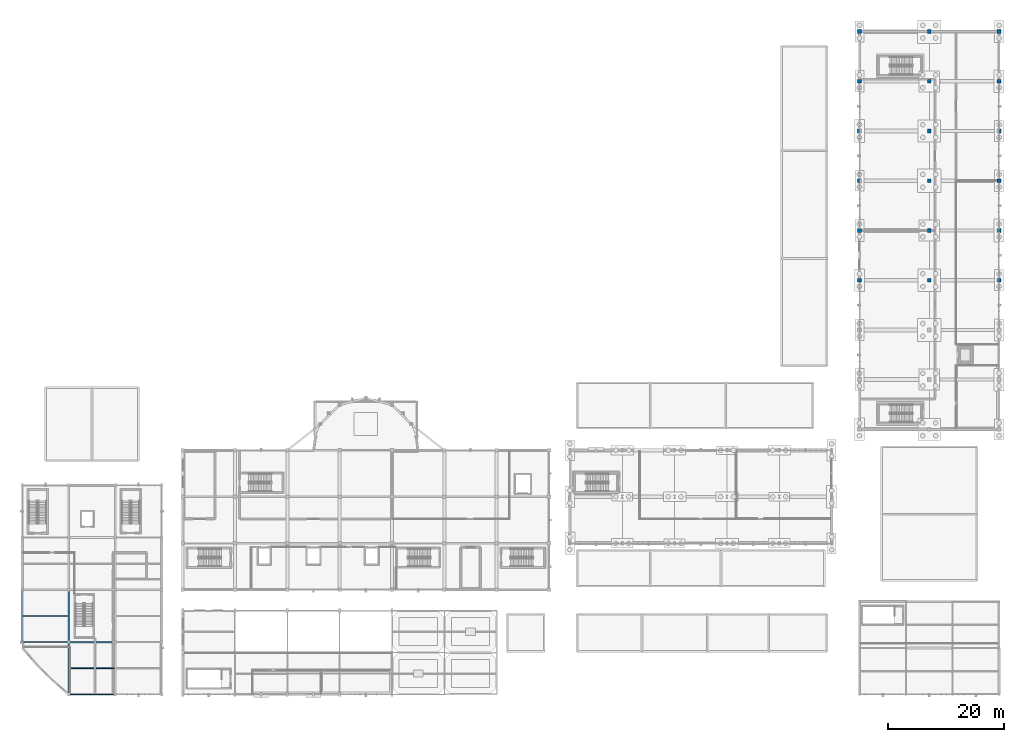
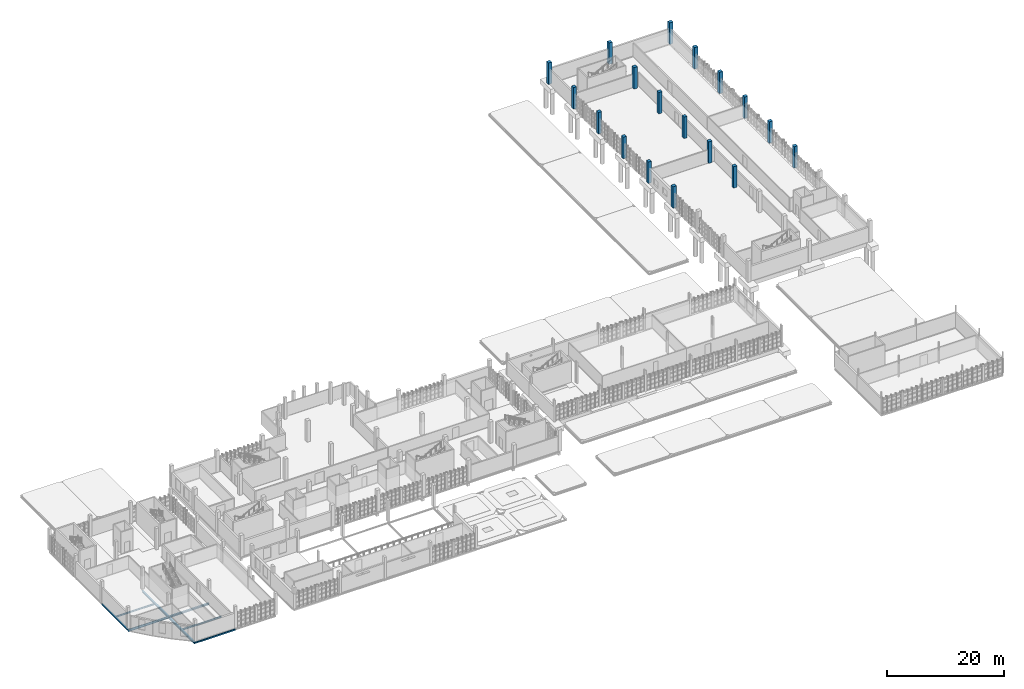
# One storey, part 13 of 125: 18 columns, 8 beams.
"""IFC4 building model written with IfcOpenShell, lengths in metres."""

from ifc_helpers import new_model, si_unit, direction, frame, origin, origin_2d, place, context, subcontext, project, spatial, rectangle, hollow_rectangle, i_section, extrude, material, material_profile, profile_set, type_object, element, save


model = new_model("IFC4")

# Units and contexts
model_context = context("Model", 3, precision=1e-05, world=origin(), true_north=direction((0.0, 1.0)))
body_context = subcontext(model_context, "Body", "Model", "MODEL_VIEW")
ifc_project = project(units=[si_unit("LENGTHUNIT", "METRE"), si_unit("AREAUNIT", "SQUARE_METRE"), si_unit("VOLUMEUNIT", "CUBIC_METRE"), si_unit("PLANEANGLEUNIT", "RADIAN"), si_unit("MASSUNIT", "GRAM", prefix="KILO")], contexts=[model_context])

# Site, building, storey
site_placement = place(None, origin())
site = spatial("IfcSite", under=ifc_project, at=site_placement, CompositionType="ELEMENT")
building_placement = place(site_placement, origin())
building = spatial("IfcBuilding", under=site, at=building_placement, Name="Serraforn Aerial Cableway Station", CompositionType="ELEMENT")
storey_placement = place(building_placement, frame((0.0, 0.0, 4.5)))
storey = spatial("IfcBuildingStorey", under=building, at=storey_placement, Name="L01", CompositionType="ELEMENT", Elevation=4.5)

# Columns
ifc_material_1 = material(Name="Concrete C35/45", Category="concrete")
ifc_material_profile_1 = material_profile(ifc_material_1, rectangle(XDim=0.64990234375, YDim=0.64990234375, at=origin_2d()), Name="RC 650x650")
ifc_profile_set_1 = profile_set([ifc_material_profile_1], Name="Concrete C35/45")
column_type_1 = type_object("IfcColumnType", Name="COL-RC-650", PredefinedType="COLUMN", material=ifc_profile_set_1)
for number, where, z_axis, x_axis, name in (
    (1, (156.0, 71.25, 0.0), (0.0, 0.0, 1.0), (1.0, 0.0, 0.0), "Column EG L01 20B-J"),
    (2, (156.0, 79.800048828125, 0.0), (0.0, 0.0, 1.0), (1.0, 0.0, 0.0), "Column EG L01 20B-K"),
    (3, (156.0, 88.35009765625, 0.0), (0.0, 0.0, 1.0), (1.0, 0.0, 0.0), "Column EG L01 20B-L"),
    (4, (156.0, 96.89990234375, 0.0), (0.0, 0.0, 1.0), (1.0, 0.0, 0.0), "Column EG L01 20B-M"),
    (5, (156.0, 105.449951171875, 0.0), (0.0, 0.0, 1.0), (1.0, 0.0, 0.0), "Column EG L01 20B-N"),
):
    element("IfcColumn", number, at=place(storey_placement, frame(where, z_axis=z_axis, x_axis=x_axis)), inside=storey, type_object=column_type_1, Name=name, PredefinedType="COLUMN", context=body_context, shape_type="SweptSolid", body=[
        extrude(rectangle(XDim=0.64990234375, YDim=0.64990234375, at=origin_2d()), origin(), (0.0, 0.0, 1.0), 4.5),
    ])
ifc_material_profile_2 = material_profile(ifc_material_1, rectangle(XDim=0.64990234375, YDim=0.64990234375, at=origin_2d()), Name="RC 650x650")
ifc_profile_set_2 = profile_set([ifc_material_profile_2], Name="Concrete C35/45")
column_type_2 = type_object("IfcColumnType", Name="COL-RC-650E", PredefinedType="COLUMN", material=ifc_profile_set_2)
for number, where, z_axis, x_axis, name in (
    (6, (144.0, 71.25, 0.0), (0.0, 0.0, 1.0), (1.0, 0.0, 0.0), "Column EG L01 19-J"),
    (7, (144.0, 79.800048828125, 0.0), (0.0, 0.0, 1.0), (1.0, 0.0, 0.0), "Column EG L01 19-K"),
    (8, (144.0, 88.35009765625, 0.0), (0.0, 0.0, 1.0), (1.0, 0.0, 0.0), "Column EG L01 19-L"),
    (9, (144.0, 96.89990234375, 0.0), (0.0, 0.0, 1.0), (1.0, 0.0, 0.0), "Column EG L01 19-M"),
    (10, (144.0, 105.449951171875, 0.0), (0.0, 0.0, 1.0), (1.0, 0.0, 0.0), "Column EG L01 19-N"),
    (11, (144.0, 114.0, 0.0), (0.0, 0.0, 1.0), (1.0, 0.0, 0.0), "Column EG L01 19-P"),
    (12, (156.0, 114.0, 0.0), (0.0, 0.0, 1.0), (1.0, 0.0, 0.0), "Column EG L01 20B-P"),
    (13, (168.0, 71.25, 0.0), (0.0, 0.0, 1.0), (1.0, 0.0, 0.0), "Column EG L01 22-J"),
    (14, (168.0, 79.800048828125, 0.0), (0.0, 0.0, 1.0), (1.0, 0.0, 0.0), "Column EG L01 22-K"),
    (15, (168.0, 88.35009765625, 0.0), (0.0, 0.0, 1.0), (1.0, 0.0, 0.0), "Column EG L01 22-L"),
    (16, (168.0, 96.89990234375, 0.0), (0.0, 0.0, 1.0), (1.0, 0.0, 0.0), "Column EG L01 22-M"),
    (17, (168.0, 105.449951171875, 0.0), (0.0, 0.0, 1.0), (1.0, 0.0, 0.0), "Column EG L01 22-N"),
    (18, (168.0, 114.0, 0.0), (0.0, 0.0, 1.0), (1.0, 0.0, 0.0), "Column EG L01 22-P"),
):
    element("IfcColumn", number, at=place(storey_placement, frame(where, z_axis=z_axis, x_axis=x_axis)), inside=storey, type_object=column_type_2, Name=name, PredefinedType="COLUMN", context=body_context, shape_type="SweptSolid", body=[
        extrude(rectangle(XDim=0.64990234375, YDim=0.64990234375, at=origin_2d()), origin(), (0.0, 0.0, 1.0), 4.5),
    ])

# Beams
ifc_material_2 = material(Name="Steel S355JR", Category="steel")
ifc_material_profile_3 = material_profile(ifc_material_2, i_section(OverallWidth=0.239990234375, OverallDepth=0.239990234375, WebThickness=0.007568359375, FlangeThickness=0.011962890625, FilletRadius=0.02099609375, at=origin_2d()), Name="HEA 240")
ifc_profile_set_3 = profile_set([ifc_material_profile_3], Name="Steel S355JR")
beam_type_1 = type_object("IfcBeamType", Name="BM-ST-HEA240", PredefinedType="BEAM", material=ifc_profile_set_3)
beam_1_placement = place(storey_placement, frame((0.0, 9.0, -0.43994140625), z_axis=(0.0, 1.0, 0.0), x_axis=(-1.0, 0.0, 0.0)))
element("IfcBeam", 19, at=beam_1_placement, inside=storey, type_object=beam_type_1, Name="Grid Girder Y W L01 X1-1", PredefinedType="BEAM", context=body_context, shape_type="SweptSolid", body=[
    extrude(i_section(OverallWidth=0.239990234375, OverallDepth=0.239990234375, WebThickness=0.007568359375, FlangeThickness=0.011962890625, FilletRadius=0.02099609375, at=origin_2d()), origin(), (0.0, 0.0, 1.0), 9.0),
])
ifc_material_profile_4 = material_profile(ifc_material_2, i_section(OverallWidth=0.300048828125, OverallDepth=0.360107421875, WebThickness=0.010009765625, FlangeThickness=0.017578125, FilletRadius=0.027099609375, at=origin_2d()), Name="HEA 360")
ifc_profile_set_4 = profile_set([ifc_material_profile_4], Name="Steel S355JR")
beam_type_2 = type_object("IfcBeamType", Name="BM-ST-HEA360", PredefinedType="BEAM", material=ifc_profile_set_4)
for number, where, z_axis, x_axis, name in (
    (20, (8.0, 0.0, -0.5), (0.0, 1.0, 0.0), (-1.0, 0.0, 0.0), "Grid Girder Y W L01 X2-1"),
    (21, (8.0, 9.0, -0.5), (0.0, 1.0, 0.0), (-1.0, 0.0, 0.0), "Grid Girder Y W L01 X2-2"),
):
    element("IfcBeam", number, at=place(storey_placement, frame(where, z_axis=z_axis, x_axis=x_axis)), inside=storey, type_object=beam_type_2, Name=name, PredefinedType="BEAM", context=body_context, shape_type="SweptSolid", body=[
        extrude(i_section(OverallWidth=0.300048828125, OverallDepth=0.360107421875, WebThickness=0.010009765625, FlangeThickness=0.017578125, FilletRadius=0.027099609375, at=origin_2d()), origin(), (0.0, 0.0, 1.0), 9.0),
    ])
ifc_material_3 = material(Name="Steel S355J2", Category="steel")
ifc_material_profile_5 = material_profile(ifc_material_3, i_section(OverallWidth=0.300048828125, OverallDepth=0.360107421875, WebThickness=0.012451171875, FlangeThickness=0.0224609375, FilletRadius=0.027099609375, at=origin_2d()), Name="HEB 360")
ifc_profile_set_5 = profile_set([ifc_material_profile_5], Name="Steel S355J2")
beam_type_3 = type_object("IfcBeamType", Name="BM-ST-HEB360", PredefinedType="USERDEFINED", material=ifc_profile_set_5)
beam_2_placement = place(storey_placement, frame((8.0, 9.0, -0.5), z_axis=(1.0, 0.0, 0.0), x_axis=(0.0, 1.0, 0.0)))
element("IfcBeam", 22, at=beam_2_placement, inside=storey, type_object=beam_type_3, Name="Grid Girder X W L01 Y2-2", ObjectType="GIRDER", PredefinedType="USERDEFINED", context=body_context, shape_type="SweptSolid", body=[
    extrude(i_section(OverallWidth=0.300048828125, OverallDepth=0.360107421875, WebThickness=0.012451171875, FlangeThickness=0.0224609375, FilletRadius=0.027099609375, at=origin_2d()), origin(), (0.0, 0.0, 1.0), 8.0),
])
ifc_material_profile_6 = material_profile(ifc_material_2, i_section(OverallWidth=0.159912109375, OverallDepth=0.330078125, WebThickness=0.007568359375, FlangeThickness=0.011474609375, FilletRadius=0.01806640625, at=origin_2d()), Name="IPE 330")
ifc_profile_set_6 = profile_set([ifc_material_profile_6], Name="Steel S355JR")
beam_type_4 = type_object("IfcBeamType", Name="BM-ST-IPE330", PredefinedType="JOIST", material=ifc_profile_set_6)
beam_3_placement = place(storey_placement, frame((0.1201171875, 13.5, -0.43994140625), z_axis=(1.0, 0.0, 0.0), x_axis=(0.0, 1.0, 0.0)))
element("IfcBeam", 23, at=beam_3_placement, inside=storey, type_object=beam_type_4, Name="Floor Joist W-L01-1-2-1", PredefinedType="JOIST", context=body_context, shape_type="SweptSolid", body=[
    extrude(i_section(OverallWidth=0.159912109375, OverallDepth=0.330078125, WebThickness=0.007568359375, FlangeThickness=0.011474609375, FilletRadius=0.01806640625, at=origin_2d()), origin(), (0.0, 0.0, 1.0), 7.72998046875),
])
beam_4_placement = place(storey_placement, frame((8.14990234375, 4.5, -0.43994140625), z_axis=(1.0, 0.0, 0.0), x_axis=(0.0, 1.0, 0.0)))
element("IfcBeam", 24, at=beam_4_placement, inside=storey, type_object=beam_type_4, Name="Floor Joist W-L01-2-1-1", PredefinedType="JOIST", context=body_context, shape_type="SweptSolid", body=[
    extrude(i_section(OverallWidth=0.159912109375, OverallDepth=0.330078125, WebThickness=0.007568359375, FlangeThickness=0.011474609375, FilletRadius=0.01806640625, at=origin_2d()), origin(), (0.0, 0.0, 1.0), 7.7001953125),
])
ifc_material_profile_7 = material_profile(ifc_material_2, i_section(OverallWidth=0.18994140625, OverallDepth=0.449951171875, WebThickness=0.009521484375, FlangeThickness=0.0146484375, FilletRadius=0.02099609375, at=origin_2d()), Name="IPE 450")
ifc_profile_set_7 = profile_set([ifc_material_profile_7], Name="Steel S355JR")
beam_type_5 = type_object("IfcBeamType", Name="BM-ST-IPE450", PredefinedType="BEAM", material=ifc_profile_set_7)
beam_5_placement = place(storey_placement, frame((0.0, 9.0, -0.544921875), z_axis=(1.0, 0.0, 0.0), x_axis=(0.0, 1.0, 0.0)))
element("IfcBeam", 25, at=beam_5_placement, inside=storey, type_object=beam_type_5, Name="Grid Girder X W L01 Y2-1", PredefinedType="BEAM", context=body_context, shape_type="SweptSolid", body=[
    extrude(i_section(OverallWidth=0.18994140625, OverallDepth=0.449951171875, WebThickness=0.009521484375, FlangeThickness=0.0146484375, FilletRadius=0.02099609375, at=origin_2d()), origin(), (0.0, 0.0, 1.0), 8.0),
])
ifc_material_profile_8 = material_profile(ifc_material_3, hollow_rectangle(XDim=0.199951171875, YDim=0.300048828125, WallThickness=0.012451171875, InnerFilletRadius=0.012451171875, OuterFilletRadius=0.02490234375, at=origin_2d()), Name="RHS 300x200x12.5")
ifc_profile_set_8 = profile_set([ifc_material_profile_8], Name="Steel S355J2")
beam_type_6 = type_object("IfcBeamType", Name="BM-ST-RHS300", PredefinedType="SPANDREL", material=ifc_profile_set_8)
beam_6_placement = place(storey_placement, frame((8.0, 0.0, -0.469970703125), z_axis=(1.0, 0.0, 0.0), x_axis=(0.0, 1.0, 0.0)))
element("IfcBeam", 26, at=beam_6_placement, inside=storey, type_object=beam_type_6, Name="Grid Girder X W L01 Y1-1", PredefinedType="SPANDREL", context=body_context, shape_type="SweptSolid", body=[
    extrude(hollow_rectangle(XDim=0.199951171875, YDim=0.300048828125, WallThickness=0.012451171875, InnerFilletRadius=0.012451171875, OuterFilletRadius=0.02490234375, at=origin_2d()), origin(), (0.0, 0.0, 1.0), 8.0),
])

save(model, "model.ifc")
